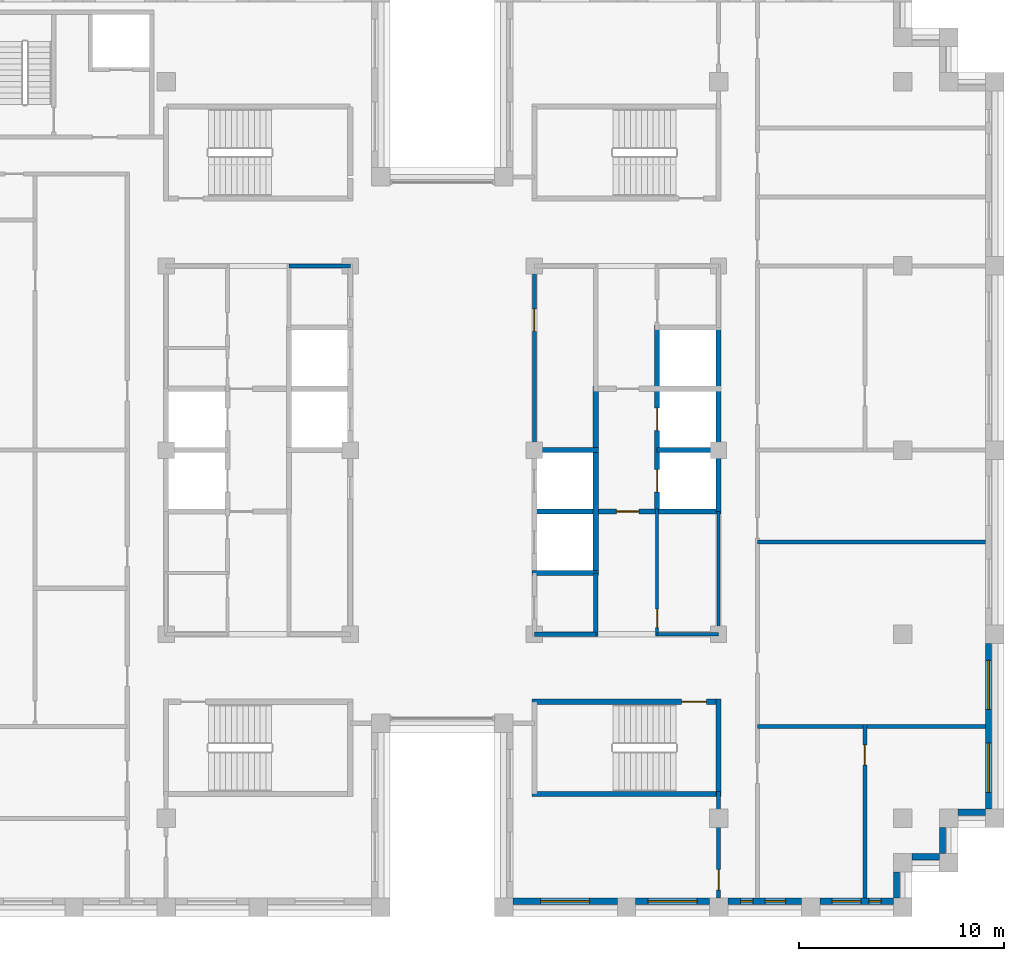
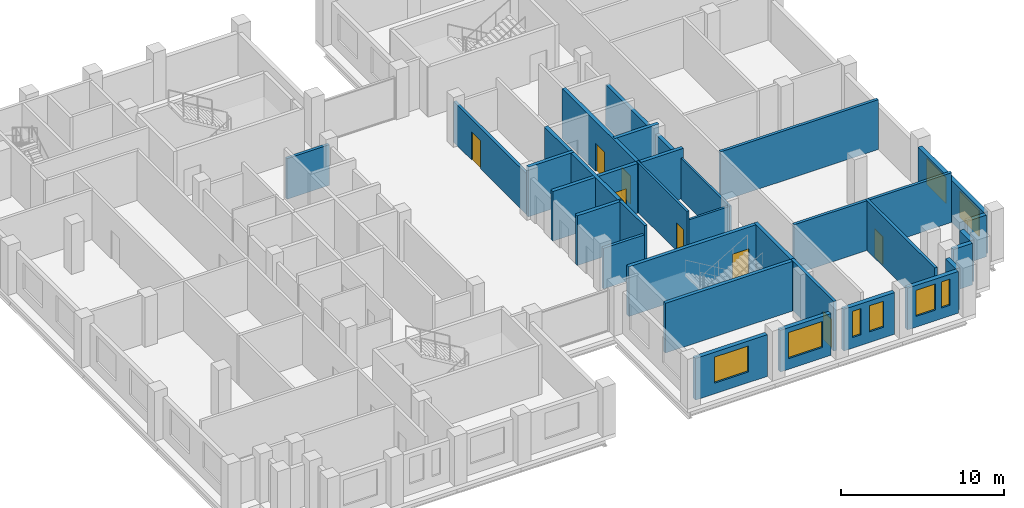
# One storey, part 8 of 13: 30 walls, 8 doors, 8 windows, 16 openings.
"""IFC4 building model written with IfcOpenShell, lengths in metres."""

from ifc_helpers import new_model, si_unit, direction, frame, frame_2d, origin, place, context, subcontext, project, spatial, rectangle, extrude, material, layer, layer_set, type_object, element, fill, save


model = new_model("IFC4")

# Units and contexts
model_context = context("Model", 3, precision=1e-05, world=origin(), true_north=direction((0.0, 1.0)))
body_context = subcontext(model_context, "Body", "Model", "MODEL_VIEW")
ifc_project = project(units=[si_unit("LENGTHUNIT", "METRE"), si_unit("AREAUNIT", "SQUARE_METRE"), si_unit("VOLUMEUNIT", "CUBIC_METRE"), si_unit("PLANEANGLEUNIT", "RADIAN"), si_unit("MASSUNIT", "GRAM", prefix="KILO")], contexts=[model_context])

# Site, building, storey
site_placement = place(None, origin())
site = spatial("IfcSite", under=ifc_project, at=site_placement, CompositionType="ELEMENT")
building_placement = place(site_placement, origin())
building = spatial("IfcBuilding", under=site, at=building_placement, Name="Corbelhall Arena Tower", CompositionType="ELEMENT")
storey_placement = place(building_placement, frame((0.0, 0.0, 262.0)))
storey = spatial("IfcBuildingStorey", under=building, at=storey_placement, Name="L56", CompositionType="ELEMENT", Elevation=262.0)

# Wall, opening, window
ifc_material_1 = material(Name="Precast concrete C40/50 with granite facing", Category="masonry")
ifc_layer_1 = layer(ifc_material_1, 0.300048828125)
ifc_layer_set_1 = layer_set([ifc_layer_1], Name="EV-IW1 Infill panel 300")
wall_type_1 = type_object("IfcWallType", Name="EV-IW1 Infill panel 300", PredefinedType="SOLIDWALL", material=ifc_layer_set_1)
wall_1_placement = place(storey_placement, frame((3.449951171875, -22.050048828125, 0.0), z_axis=(0.0, 0.0, 1.0), x_axis=(1.0, 0.0, 0.0)))
wall_1 = element("IfcWall", 1, at=wall_1_placement, inside=storey, type_object=wall_type_1, Name="Infill panel IW1", PredefinedType="SOLIDWALL", context=body_context, shape_type="SweptSolid", body=[
    extrude(rectangle(XDim=5.10009765625, YDim=0.300048828125, at=frame_2d((2.550048828125, 0.0))), origin(), (0.0, 0.0, 1.0), 3.1201171875),
])
opening_1_placement = place(wall_1_placement, frame((1.35009765625, 0.0, 0.800048828125)))
opening_1 = element("IfcOpeningElement", 2, at=opening_1_placement, cuts=wall_1, Name="Opening WN1", PredefinedType="OPENING", context=body_context, shape_type="SweptSolid", body=[
    extrude(rectangle(XDim=2.39990234375, YDim=1.949951171875, at=frame_2d((1.199951171875, 0.97509765625))), frame((0.0, 0.14990234375, 0.0), z_axis=(0.0, -1.0, 0.0), x_axis=(1.0, 0.0, 0.0)), (0.0, 0.0, 1.0), 0.300048828125),
])
ifc_material_2 = material(Name="Aluminium black anodised", Category="aluminium")
window_type_1 = type_object("IfcWindowType", Name="EV-WN1 Office window", PartitioningType="SINGLE_PANEL", PredefinedType="WINDOW", material=ifc_material_2)
window_1_placement = place(opening_1_placement, origin())
window_1 = element("IfcWindow", 3, at=window_1_placement, inside=storey, type_object=window_type_1, Name="Window WN1", OverallHeight=1.949951171875, OverallWidth=2.39990234375, PartitioningType="SINGLE_PANEL", PredefinedType="WINDOW", context=body_context, shape_type="SweptSolid", body=[
    extrude(rectangle(XDim=2.39990234375, YDim=1.949951171875, at=frame_2d((1.199951171875, 0.97509765625))), frame((0.0, 0.030029296875, 0.0), z_axis=(0.0, -1.0, 0.0), x_axis=(1.0, 0.0, 0.0)), (0.0, 0.0, 1.0), 0.06005859375),
])
fill(opening_1, window_1)

wall_2_placement = place(storey_placement, frame((9.449951171875, -22.050048828125, 0.0), z_axis=(0.0, 0.0, 1.0), x_axis=(1.0, 0.0, 0.0)))
wall_2 = element("IfcWall", 4, at=wall_2_placement, inside=storey, type_object=wall_type_1, Name="Infill panel IW1", PredefinedType="SOLIDWALL", context=body_context, shape_type="SweptSolid", body=[
    extrude(rectangle(XDim=3.60009765625, YDim=0.300048828125, at=frame_2d((1.800048828125, 0.0))), origin(), (0.0, 0.0, 1.0), 3.1201171875),
])
opening_2_placement = place(wall_2_placement, frame((0.60009765625, 0.0, 0.800048828125)))
opening_2 = element("IfcOpeningElement", 5, at=opening_2_placement, cuts=wall_2, Name="Opening WN1", PredefinedType="OPENING", context=body_context, shape_type="SweptSolid", body=[
    extrude(rectangle(XDim=2.39990234375, YDim=1.949951171875, at=frame_2d((1.199951171875, 0.97509765625))), frame((0.0, 0.14990234375, 0.0), z_axis=(0.0, -1.0, 0.0), x_axis=(1.0, 0.0, 0.0)), (0.0, 0.0, 1.0), 0.300048828125),
])
window_2_placement = place(opening_2_placement, origin())
window_2 = element("IfcWindow", 6, at=window_2_placement, inside=storey, type_object=window_type_1, Name="Window WN1", OverallHeight=1.949951171875, OverallWidth=2.39990234375, PartitioningType="SINGLE_PANEL", PredefinedType="WINDOW", context=body_context, shape_type="SweptSolid", body=[
    extrude(rectangle(XDim=2.39990234375, YDim=1.949951171875, at=frame_2d((1.199951171875, 0.97509765625))), frame((0.0, 0.030029296875, 0.0), z_axis=(0.0, -1.0, 0.0), x_axis=(1.0, 0.0, 0.0)), (0.0, 0.0, 1.0), 0.06005859375),
])
fill(opening_2, window_2)

# Wall, openings, windows
wall_3_placement = place(storey_placement, frame((13.949951171875, -22.050048828125, 0.0), z_axis=(0.0, 0.0, 1.0), x_axis=(1.0, 0.0, 0.0)))
wall_3 = element("IfcWall", 7, at=wall_3_placement, inside=storey, type_object=wall_type_1, Name="Infill panel IW1", PredefinedType="SOLIDWALL", context=body_context, shape_type="SweptSolid", body=[
    extrude(rectangle(XDim=3.60009765625, YDim=0.300048828125, at=frame_2d((1.800048828125, 0.0))), origin(), (0.0, 0.0, 1.0), 3.1201171875),
])
opening_3_placement = place(wall_3_placement, frame((0.625, 0.0, 0.800048828125)))
opening_3 = element("IfcOpeningElement", 8, at=opening_3_placement, cuts=wall_3, Name="Opening WN5", PredefinedType="OPENING", context=body_context, shape_type="SweptSolid", body=[
    extrude(rectangle(XDim=0.60009765625, YDim=1.949951171875, at=frame_2d((0.300048828125, 0.97509765625))), frame((0.0, 0.14990234375, 0.0), z_axis=(0.0, -1.0, 0.0), x_axis=(1.0, 0.0, 0.0)), (0.0, 0.0, 1.0), 0.300048828125),
])
opening_4_placement = place(wall_3_placement, frame((1.824951171875, 0.0, 0.800048828125)))
opening_4 = element("IfcOpeningElement", 9, at=opening_4_placement, cuts=wall_3, Name="Opening WN6", PredefinedType="OPENING", context=body_context, shape_type="SweptSolid", body=[
    extrude(rectangle(XDim=1.0, YDim=1.949951171875, at=frame_2d((0.5, 0.97509765625))), frame((0.0, 0.14990234375, 0.0), z_axis=(0.0, -1.0, 0.0), x_axis=(1.0, 0.0, 0.0)), (0.0, 0.0, 1.0), 0.300048828125),
])
window_type_2 = type_object("IfcWindowType", Name="EV-WN5 Office window 600", PartitioningType="SINGLE_PANEL", PredefinedType="WINDOW", material=ifc_material_2)
window_3_placement = place(opening_3_placement, origin())
window_3 = element("IfcWindow", 10, at=window_3_placement, inside=storey, type_object=window_type_2, Name="Window WN5", OverallHeight=1.949951171875, OverallWidth=0.60009765625, PartitioningType="SINGLE_PANEL", PredefinedType="WINDOW", context=body_context, shape_type="SweptSolid", body=[
    extrude(rectangle(XDim=0.60009765625, YDim=1.949951171875, at=frame_2d((0.300048828125, 0.97509765625))), frame((0.0, 0.030029296875, 0.0), z_axis=(0.0, -1.0, 0.0), x_axis=(1.0, 0.0, 0.0)), (0.0, 0.0, 1.0), 0.06005859375),
])
fill(opening_3, window_3)
window_type_3 = type_object("IfcWindowType", Name="EV-WN6 Office window 1000", PartitioningType="SINGLE_PANEL", PredefinedType="WINDOW", material=ifc_material_2)
window_4_placement = place(opening_4_placement, origin())
window_4 = element("IfcWindow", 11, at=window_4_placement, inside=storey, type_object=window_type_3, Name="Window WN6", OverallHeight=1.949951171875, OverallWidth=1.0, PartitioningType="SINGLE_PANEL", PredefinedType="WINDOW", context=body_context, shape_type="SweptSolid", body=[
    extrude(rectangle(XDim=1.0, YDim=1.949951171875, at=frame_2d((0.5, 0.97509765625))), frame((0.0, 0.030029296875, 0.0), z_axis=(0.0, -1.0, 0.0), x_axis=(1.0, 0.0, 0.0)), (0.0, 0.0, 1.0), 0.06005859375),
])
fill(opening_4, window_4)

wall_4_placement = place(storey_placement, frame((18.449951171875, -22.050048828125, 0.0), z_axis=(0.0, 0.0, 1.0), x_axis=(1.0, 0.0, 0.0)))
wall_4 = element("IfcWall", 12, at=wall_4_placement, inside=storey, type_object=wall_type_1, Name="Infill panel IW1", PredefinedType="SOLIDWALL", context=body_context, shape_type="SweptSolid", body=[
    extrude(rectangle(XDim=3.60009765625, YDim=0.300048828125, at=frame_2d((1.800048828125, 0.0))), origin(), (0.0, 0.0, 1.0), 3.1201171875),
])
opening_5_placement = place(wall_4_placement, frame((0.60009765625, 0.0, 0.800048828125)))
opening_5 = element("IfcOpeningElement", 13, at=opening_5_placement, cuts=wall_4, Name="Opening WN7", PredefinedType="OPENING", context=body_context, shape_type="SweptSolid", body=[
    extrude(rectangle(XDim=1.39990234375, YDim=1.949951171875, at=frame_2d((0.699951171875, 0.97509765625))), frame((0.0, 0.14990234375, 0.0), z_axis=(0.0, -1.0, 0.0), x_axis=(1.0, 0.0, 0.0)), (0.0, 0.0, 1.0), 0.300048828125),
])
opening_6_placement = place(wall_4_placement, frame((2.39990234375, 0.0, 0.800048828125)))
opening_6 = element("IfcOpeningElement", 14, at=opening_6_placement, cuts=wall_4, Name="Opening WN5", PredefinedType="OPENING", context=body_context, shape_type="SweptSolid", body=[
    extrude(rectangle(XDim=0.60009765625, YDim=1.949951171875, at=frame_2d((0.300048828125, 0.97509765625))), frame((0.0, 0.14990234375, 0.0), z_axis=(0.0, -1.0, 0.0), x_axis=(1.0, 0.0, 0.0)), (0.0, 0.0, 1.0), 0.300048828125),
])
window_5_placement = place(opening_6_placement, origin())
window_5 = element("IfcWindow", 15, at=window_5_placement, inside=storey, type_object=window_type_2, Name="Window WN5", OverallHeight=1.949951171875, OverallWidth=0.60009765625, PartitioningType="SINGLE_PANEL", PredefinedType="WINDOW", context=body_context, shape_type="SweptSolid", body=[
    extrude(rectangle(XDim=0.60009765625, YDim=1.949951171875, at=frame_2d((0.300048828125, 0.97509765625))), frame((0.0, 0.030029296875, 0.0), z_axis=(0.0, -1.0, 0.0), x_axis=(1.0, 0.0, 0.0)), (0.0, 0.0, 1.0), 0.06005859375),
])
fill(opening_6, window_5)
window_type_4 = type_object("IfcWindowType", Name="EV-WN7 Office window 1400", PartitioningType="SINGLE_PANEL", PredefinedType="WINDOW", material=ifc_material_2)
window_6_placement = place(opening_5_placement, origin())
window_6 = element("IfcWindow", 16, at=window_6_placement, inside=storey, type_object=window_type_4, Name="Window WN7", OverallHeight=1.949951171875, OverallWidth=1.39990234375, PartitioningType="SINGLE_PANEL", PredefinedType="WINDOW", context=body_context, shape_type="SweptSolid", body=[
    extrude(rectangle(XDim=1.39990234375, YDim=1.949951171875, at=frame_2d((0.699951171875, 0.97509765625))), frame((0.0, 0.030029296875, 0.0), z_axis=(0.0, -1.0, 0.0), x_axis=(1.0, 0.0, 0.0)), (0.0, 0.0, 1.0), 0.06005859375),
])
fill(opening_5, window_6)

# Walls
wall_5_placement = place(storey_placement, frame((22.199951171875, -21.89990234375, 0.0), z_axis=(0.0, 0.0, 1.0), x_axis=(0.0, 1.0, 0.0)))
element("IfcWall", 17, at=wall_5_placement, inside=storey, type_object=wall_type_1, Name="Infill panel IW1", PredefinedType="SOLIDWALL", context=body_context, shape_type="SweptSolid", body=[
    extrude(rectangle(XDim=1.27490234375, YDim=0.300048828125, at=frame_2d((0.637451171875, 0.0))), origin(), (0.0, 0.0, 1.0), 3.1201171875),
])
wall_6_placement = place(storey_placement, frame((22.949951171875, -19.875, 0.0), z_axis=(0.0, 0.0, 1.0), x_axis=(1.0, 0.0, 0.0)))
element("IfcWall", 18, at=wall_6_placement, inside=storey, type_object=wall_type_1, Name="Infill panel IW1", PredefinedType="SOLIDWALL", context=body_context, shape_type="SweptSolid", body=[
    extrude(rectangle(XDim=1.35009765625, YDim=0.300048828125, at=frame_2d((0.675048828125, 0.0))), origin(), (0.0, 0.0, 1.0), 3.1201171875),
])
wall_7_placement = place(storey_placement, frame((24.449951171875, -19.72509765625, 0.0), z_axis=(0.0, 0.0, 1.0), x_axis=(0.0, 1.0, 0.0)))
element("IfcWall", 19, at=wall_7_placement, inside=storey, type_object=wall_type_1, Name="Infill panel IW1", PredefinedType="SOLIDWALL", context=body_context, shape_type="SweptSolid", body=[
    extrude(rectangle(XDim=1.275146484375, YDim=0.300048828125, at=frame_2d((0.6376953125, 0.0))), origin(), (0.0, 0.0, 1.0), 3.1201171875),
])
wall_8_placement = place(storey_placement, frame((25.199951171875, -17.699951171875, 0.0), z_axis=(0.0, 0.0, 1.0), x_axis=(1.0, 0.0, 0.0)))
element("IfcWall", 20, at=wall_8_placement, inside=storey, type_object=wall_type_1, Name="Infill panel IW1", PredefinedType="SOLIDWALL", context=body_context, shape_type="SweptSolid", body=[
    extrude(rectangle(XDim=1.35009765625, YDim=0.300048828125, at=frame_2d((0.675048828125, 0.0))), origin(), (0.0, 0.0, 1.0), 3.1201171875),
])

# Wall, openings, windows
wall_9_placement = place(storey_placement, frame((26.699951171875, -17.550048828125, 0.0), z_axis=(0.0, 0.0, 1.0), x_axis=(0.0, 1.0, 0.0)))
wall_9 = element("IfcWall", 21, at=wall_9_placement, inside=storey, type_object=wall_type_1, Name="Infill panel IW1", PredefinedType="SOLIDWALL", context=body_context, shape_type="SweptSolid", body=[
    extrude(rectangle(XDim=8.10009765625, YDim=0.300048828125, at=frame_2d((4.050048828125, 0.0))), origin(), (0.0, 0.0, 1.0), 3.1201171875),
])
opening_7_placement = place(wall_9_placement, frame((0.824951171875, 0.0, 0.800048828125)))
opening_7 = element("IfcOpeningElement", 22, at=opening_7_placement, cuts=wall_9, Name="Opening WN1", PredefinedType="OPENING", context=body_context, shape_type="SweptSolid", body=[
    extrude(rectangle(XDim=2.39990234375, YDim=1.949951171875, at=frame_2d((1.199951171875, 0.97509765625))), frame((0.0, 0.14990234375, 0.0), z_axis=(0.0, -1.0, 0.0), x_axis=(1.0, 0.0, 0.0)), (0.0, 0.0, 1.0), 0.300048828125),
])
opening_8_placement = place(wall_9_placement, frame((4.875, 0.0, 0.800048828125)))
opening_8 = element("IfcOpeningElement", 23, at=opening_8_placement, cuts=wall_9, Name="Opening WN1", PredefinedType="OPENING", context=body_context, shape_type="SweptSolid", body=[
    extrude(rectangle(XDim=2.39990234375, YDim=1.949951171875, at=frame_2d((1.199951171875, 0.97509765625))), frame((0.0, 0.14990234375, 0.0), z_axis=(0.0, -1.0, 0.0), x_axis=(1.0, 0.0, 0.0)), (0.0, 0.0, 1.0), 0.300048828125),
])
window_7_placement = place(opening_7_placement, origin())
window_7 = element("IfcWindow", 24, at=window_7_placement, inside=storey, type_object=window_type_1, Name="Window WN1", OverallHeight=1.949951171875, OverallWidth=2.39990234375, PartitioningType="SINGLE_PANEL", PredefinedType="WINDOW", context=body_context, shape_type="SweptSolid", body=[
    extrude(rectangle(XDim=2.39990234375, YDim=1.949951171875, at=frame_2d((1.199951171875, 0.97509765625))), frame((0.0, 0.030029296875, 0.0), z_axis=(0.0, -1.0, 0.0), x_axis=(1.0, 0.0, 0.0)), (0.0, 0.0, 1.0), 0.06005859375),
])
fill(opening_7, window_7)
window_8_placement = place(opening_8_placement, origin())
window_8 = element("IfcWindow", 25, at=window_8_placement, inside=storey, type_object=window_type_1, Name="Window WN1", OverallHeight=1.949951171875, OverallWidth=2.39990234375, PartitioningType="SINGLE_PANEL", PredefinedType="WINDOW", context=body_context, shape_type="SweptSolid", body=[
    extrude(rectangle(XDim=2.39990234375, YDim=1.949951171875, at=frame_2d((1.199951171875, 0.97509765625))), frame((0.0, 0.030029296875, 0.0), z_axis=(0.0, -1.0, 0.0), x_axis=(1.0, 0.0, 0.0)), (0.0, 0.0, 1.0), 0.06005859375),
])
fill(opening_8, window_8)

# Wall, opening, door
ifc_material_3 = material(Name="Gypsum board on steel stud, acoustic", Category="steel")
ifc_layer_2 = layer(ifc_material_3, 0.199951171875)
ifc_layer_set_2 = layer_set([ifc_layer_2], Name="IN-W-DM200")
wall_type_2 = type_object("IfcWallType", Name="IN-W-DM200", PredefinedType="PARTITIONING", material=ifc_layer_set_2)
wall_10_placement = place(storey_placement, frame((13.5, -21.89990234375, 0.0), z_axis=(0.0, 0.0, 1.0), x_axis=(0.0, 1.0, 0.0)))
wall_10 = element("IfcWall", 26, at=wall_10_placement, inside=storey, type_object=wall_type_2, Name="Partition 014", PredefinedType="PARTITIONING", context=body_context, shape_type="SweptSolid", body=[
    extrude(rectangle(XDim=5.224853515625, YDim=0.199951171875, at=frame_2d((2.6123046875, 0.0))), origin(), (0.0, 0.0, 1.0), 3.719970703125),
])
opening_9_placement = place(wall_10_placement, frame((0.39990234375, 0.0, 0.0)))
opening_9 = element("IfcOpeningElement", 27, at=opening_9_placement, cuts=wall_10, Name="Opening 17021", PredefinedType="OPENING", context=body_context, shape_type="SweptSolid", body=[
    extrude(rectangle(XDim=1.0, YDim=2.10009765625, at=frame_2d((0.5, 1.050048828125))), frame((0.0, 0.10009765625, 0.0), z_axis=(0.0, -1.0, 0.0), x_axis=(1.0, 0.0, 0.0)), (0.0, 0.0, 1.0), 0.199951171875),
])
ifc_material_4 = material(Name="Steel door set", Category="steel")
door_type_1 = type_object("IfcDoorType", Name="IN-D-SW100", OperationType="NOTDEFINED", PredefinedType="DOOR", material=ifc_material_4)
door_1_placement = place(opening_9_placement, origin())
door_1 = element("IfcDoor", 28, at=door_1_placement, inside=storey, type_object=door_type_1, Name="Door 021", OperationType="SINGLE_SWING_RIGHT", OverallHeight=2.10009765625, OverallWidth=1.0, PredefinedType="DOOR", context=body_context, shape_type="SweptSolid", body=[
    extrude(rectangle(XDim=1.0, YDim=2.10009765625, at=frame_2d((0.5, 1.050048828125))), frame((0.0, 0.02490234375, 0.0), z_axis=(0.0, -1.0, 0.0), x_axis=(1.0, 0.0, 0.0)), (0.0, 0.0, 1.0), 0.050048828125),
])
fill(opening_9, door_1)

# Walls
for number, where, z_axis, x_axis, name in (
    (29, (15.39990234375, -13.5, 0.0), (0.0, 0.0, 1.0), (1.0, 0.0, 0.0), "Partition 016"),
    (30, (15.39990234375, -4.5, 0.0), (0.0, 0.0, 1.0), (1.0, 0.0, 0.0), "Partition 018"),
):
    element("IfcWall", number, at=place(storey_placement, frame(where, z_axis=z_axis, x_axis=x_axis)), inside=storey, type_object=wall_type_2, Name=name, PredefinedType="PARTITIONING", context=body_context, shape_type="SweptSolid", body=[
        extrude(rectangle(XDim=11.150146484375, YDim=0.199951171875, at=frame_2d((5.5751953125, 0.0))), origin(), (0.0, 0.0, 1.0), 3.719970703125),
    ])

# Wall, opening, door
wall_11_placement = place(storey_placement, frame((20.64990234375, -13.39990234375, 0.0), z_axis=(0.0, 0.0, 1.0), x_axis=(0.0, -1.0, 0.0)))
wall_11 = element("IfcWall", 31, at=wall_11_placement, inside=storey, type_object=wall_type_2, Name="Partition 022", PredefinedType="PARTITIONING", context=body_context, shape_type="SweptSolid", body=[
    extrude(rectangle(XDim=8.5, YDim=0.199951171875, at=frame_2d((4.25, 0.0))), origin(), (0.0, 0.0, 1.0), 3.719970703125),
])
opening_10_placement = place(wall_11_placement, frame((1.0, 0.0, 0.0)))
opening_10 = element("IfcOpeningElement", 32, at=opening_10_placement, cuts=wall_11, Name="Opening 17035", PredefinedType="OPENING", context=body_context, shape_type="SweptSolid", body=[
    extrude(rectangle(XDim=1.0, YDim=2.10009765625, at=frame_2d((0.5, 1.050048828125))), frame((0.0, 0.10009765625, 0.0), z_axis=(0.0, -1.0, 0.0), x_axis=(1.0, 0.0, 0.0)), (0.0, 0.0, 1.0), 0.199951171875),
])
door_2_placement = place(opening_10_placement, origin())
door_2 = element("IfcDoor", 33, at=door_2_placement, inside=storey, type_object=door_type_1, Name="Door 035", OperationType="SINGLE_SWING_RIGHT", OverallHeight=2.10009765625, OverallWidth=1.0, PredefinedType="DOOR", context=body_context, shape_type="SweptSolid", body=[
    extrude(rectangle(XDim=1.0, YDim=2.10009765625, at=frame_2d((0.5, 1.050048828125))), frame((0.0, 0.02490234375, 0.0), z_axis=(0.0, -1.0, 0.0), x_axis=(1.0, 0.0, 0.0)), (0.0, 0.0, 1.0), 0.050048828125),
])
fill(opening_10, door_2)

# Walls
ifc_material_5 = material(Name="Concrete block wall", Category="concrete")
ifc_layer_3 = layer(ifc_material_5, 0.199951171875)
ifc_layer_set_3 = layer_set([ifc_layer_3], Name="IN-W-RS200")
wall_type_3 = type_object("IfcWallType", Name="IN-W-RS200", PredefinedType="SOLIDWALL", material=ifc_layer_set_3)
wall_12_placement = place(storey_placement, frame((7.5, -6.0, 0.0), z_axis=(0.0, 0.0, 1.0), x_axis=(0.0, -1.0, 0.0)))
element("IfcWall", 34, at=wall_12_placement, inside=storey, type_object=wall_type_3, Name="Partition 040", PredefinedType="SOLIDWALL", context=body_context, shape_type="SweptSolid", body=[
    extrude(rectangle(XDim=3.10009765625, YDim=0.199951171875, at=frame_2d((1.550048828125, 0.0))), origin(), (0.0, 0.0, 1.0), 3.719970703125),
])
ifc_layer_4 = layer(ifc_material_5, 0.199951171875)
ifc_layer_set_4 = layer_set([ifc_layer_4], Name="IN-W-RS200 under beam 678 mm")
wall_type_4 = type_object("IfcWallType", Name="IN-W-RS200 under beam 678 mm", PredefinedType="SOLIDWALL", material=ifc_layer_set_4)
wall_13_placement = place(storey_placement, frame((-7.5, 9.0, 0.0), z_axis=(0.0, 0.0, 1.0), x_axis=(1.0, 0.0, 0.0)))
element("IfcWall", 35, at=wall_13_placement, inside=storey, type_object=wall_type_4, Name="Partition 032", PredefinedType="SOLIDWALL", context=body_context, shape_type="SweptSolid", body=[
    extrude(rectangle(XDim=3.0, YDim=0.199951171875, at=frame_2d((1.5, 0.0))), origin(), (0.0, 0.0, 1.0), 3.041748046875),
])

# Wall, opening, door
wall_14_placement = place(storey_placement, frame((4.5, 0.0, 0.0), z_axis=(0.0, 0.0, 1.0), x_axis=(0.0, 1.0, 0.0)))
wall_14 = element("IfcWall", 36, at=wall_14_placement, inside=storey, type_object=wall_type_4, Name="Partition 037", PredefinedType="SOLIDWALL", context=body_context, shape_type="SweptSolid", body=[
    extrude(rectangle(XDim=9.10009765625, YDim=0.199951171875, at=frame_2d((4.550048828125, 0.0))), origin(), (0.0, 0.0, 1.0), 3.041748046875),
])
opening_11_placement = place(wall_14_placement, frame((5.800048828125, 0.0, 0.0)))
opening_11 = element("IfcOpeningElement", 37, at=opening_11_placement, cuts=wall_14, Name="Opening 17010", PredefinedType="OPENING", context=body_context, shape_type="SweptSolid", body=[
    extrude(rectangle(XDim=1.10009765625, YDim=2.10009765625, at=frame_2d((0.550048828125, 1.050048828125))), frame((0.0, 0.10009765625, 0.0), z_axis=(0.0, -1.0, 0.0), x_axis=(1.0, 0.0, 0.0)), (0.0, 0.0, 1.0), 0.199951171875),
])
door_type_2 = type_object("IfcDoorType", Name="IN-D-FD110", OperationType="NOTDEFINED", PredefinedType="DOOR", material=ifc_material_4)
door_3_placement = place(opening_11_placement, origin())
door_3 = element("IfcDoor", 38, at=door_3_placement, inside=storey, type_object=door_type_2, Name="Door 010", OperationType="SINGLE_SWING_LEFT", OverallHeight=2.10009765625, OverallWidth=1.10009765625, PredefinedType="DOOR", context=body_context, shape_type="SweptSolid", body=[
    extrude(rectangle(XDim=1.10009765625, YDim=2.10009765625, at=frame_2d((0.550048828125, 1.050048828125))), frame((0.0, 0.02490234375, 0.0), z_axis=(0.0, -1.0, 0.0), x_axis=(1.0, 0.0, 0.0)), (0.0, 0.0, 1.0), 0.050048828125),
])
fill(opening_11, door_3)

# Walls
wall_15_placement = place(storey_placement, frame((7.5, -9.0, 0.0), z_axis=(0.0, 0.0, 1.0), x_axis=(-1.0, 0.0, 0.0)))
element("IfcWall", 39, at=wall_15_placement, inside=storey, type_object=wall_type_4, Name="Partition 039", PredefinedType="SOLIDWALL", context=body_context, shape_type="SweptSolid", body=[
    extrude(rectangle(XDim=3.0, YDim=0.199951171875, at=frame_2d((1.5, 0.0))), origin(), (0.0, 0.0, 1.0), 3.041748046875),
])
ifc_material_6 = material(Name="Concrete C40/50", Category="concrete")
ifc_layer_5 = layer(ifc_material_6, 0.25)
ifc_layer_set_5 = layer_set([ifc_layer_5], Name="IN-W-SH250")
wall_type_5 = type_object("IfcWallType", Name="IN-W-SH250", PredefinedType="SOLIDWALL", material=ifc_layer_set_5)
wall_16_placement = place(storey_placement, frame((4.375, -6.0, 0.0), z_axis=(0.0, 0.0, 1.0), x_axis=(1.0, 0.0, 0.0)))
element("IfcWall", 40, at=wall_16_placement, inside=storey, type_object=wall_type_5, Name="Shaft wall 054", PredefinedType="SOLIDWALL", context=body_context, shape_type="SweptSolid", body=[
    extrude(rectangle(XDim=3.25, YDim=0.25, at=frame_2d((1.625, 0.0))), origin(), (0.0, 0.0, 1.0), 3.719970703125),
])

# Wall, opening, door
wall_17_placement = place(storey_placement, frame((4.375, -3.0, 0.0), z_axis=(0.0, 0.0, 1.0), x_axis=(1.0, 0.0, 0.0)))
wall_17 = element("IfcWall", 41, at=wall_17_placement, inside=storey, type_object=wall_type_5, Name="Shaft wall 055", PredefinedType="SOLIDWALL", context=body_context, shape_type="SweptSolid", body=[
    extrude(rectangle(XDim=9.25, YDim=0.25, at=frame_2d((4.625, 0.0))), origin(), (0.0, 0.0, 1.0), 3.719970703125),
])
opening_12_placement = place(wall_17_placement, frame((4.125, 0.0, 0.0)))
opening_12 = element("IfcOpeningElement", 42, at=opening_12_placement, cuts=wall_17, Name="Opening 17011", PredefinedType="OPENING", context=body_context, shape_type="SweptSolid", body=[
    extrude(rectangle(XDim=1.10009765625, YDim=2.10009765625, at=frame_2d((0.550048828125, 1.050048828125))), frame((0.0, 0.125, 0.0), z_axis=(0.0, -1.0, 0.0), x_axis=(1.0, 0.0, 0.0)), (0.0, 0.0, 1.0), 0.25),
])
door_4_placement = place(opening_12_placement, origin())
door_4 = element("IfcDoor", 43, at=door_4_placement, inside=storey, type_object=door_type_2, Name="Door 011", OperationType="SINGLE_SWING_RIGHT", OverallHeight=2.10009765625, OverallWidth=1.10009765625, PredefinedType="DOOR", context=body_context, shape_type="SweptSolid", body=[
    extrude(rectangle(XDim=1.10009765625, YDim=2.10009765625, at=frame_2d((0.550048828125, 1.050048828125))), frame((0.0, 0.02490234375, 0.0), z_axis=(0.0, -1.0, 0.0), x_axis=(1.0, 0.0, 0.0)), (0.0, 0.0, 1.0), 0.050048828125),
])
fill(opening_12, door_4)

# Walls
wall_18_placement = place(storey_placement, frame((4.375, 0.0, 0.0), z_axis=(0.0, 0.0, 1.0), x_axis=(1.0, 0.0, 0.0)))
element("IfcWall", 44, at=wall_18_placement, inside=storey, type_object=wall_type_5, Name="Shaft wall 056", PredefinedType="SOLIDWALL", context=body_context, shape_type="SweptSolid", body=[
    extrude(rectangle(XDim=3.25, YDim=0.25, at=frame_2d((1.625, 0.0))), origin(), (0.0, 0.0, 1.0), 3.719970703125),
])
wall_19_placement = place(storey_placement, frame((7.5, 3.125, 0.0), z_axis=(0.0, 0.0, 1.0), x_axis=(0.0, -1.0, 0.0)))
element("IfcWall", 45, at=wall_19_placement, inside=storey, type_object=wall_type_5, Name="Shaft wall 058", PredefinedType="SOLIDWALL", context=body_context, shape_type="SweptSolid", body=[
    extrude(rectangle(XDim=9.125, YDim=0.25, at=frame_2d((4.5625, 0.0))), origin(), (0.0, 0.0, 1.0), 3.719970703125),
])
wall_20_placement = place(storey_placement, frame((10.5, 0.0, 0.0), z_axis=(0.0, 0.0, 1.0), x_axis=(1.0, 0.0, 0.0)))
element("IfcWall", 46, at=wall_20_placement, inside=storey, type_object=wall_type_5, Name="Shaft wall 060", PredefinedType="SOLIDWALL", context=body_context, shape_type="SweptSolid", body=[
    extrude(rectangle(XDim=3.125, YDim=0.25, at=frame_2d((1.5625, 0.0))), origin(), (0.0, 0.0, 1.0), 3.719970703125),
])

# Wall, openings, doors
wall_21_placement = place(storey_placement, frame((10.5, 6.125, 0.0), z_axis=(0.0, 0.0, 1.0), x_axis=(0.0, -1.0, 0.0)))
wall_21 = element("IfcWall", 47, at=wall_21_placement, inside=storey, type_object=wall_type_5, Name="Shaft wall 061", PredefinedType="SOLIDWALL", context=body_context, shape_type="SweptSolid", body=[
    extrude(rectangle(XDim=9.25, YDim=0.25, at=frame_2d((4.625, 0.0))), origin(), (0.0, 0.0, 1.0), 3.719970703125),
])
opening_13_placement = place(wall_21_placement, frame((7.074951171875, 0.0, 0.0)))
opening_13 = element("IfcOpeningElement", 48, at=opening_13_placement, cuts=wall_21, Name="Opening LD", PredefinedType="OPENING", context=body_context, shape_type="SweptSolid", body=[
    extrude(rectangle(XDim=1.10009765625, YDim=2.10009765625, at=frame_2d((0.550048828125, 1.050048828125))), frame((0.0, 0.125, 0.0), z_axis=(0.0, -1.0, 0.0), x_axis=(1.0, 0.0, 0.0)), (0.0, 0.0, 1.0), 0.25),
])
opening_14_placement = place(wall_21_placement, frame((4.074951171875, 0.0, 0.0)))
opening_14 = element("IfcOpeningElement", 49, at=opening_14_placement, cuts=wall_21, Name="Opening LD", PredefinedType="OPENING", context=body_context, shape_type="SweptSolid", body=[
    extrude(rectangle(XDim=1.10009765625, YDim=2.10009765625, at=frame_2d((0.550048828125, 1.050048828125))), frame((0.0, 0.125, 0.0), z_axis=(0.0, -1.0, 0.0), x_axis=(1.0, 0.0, 0.0)), (0.0, 0.0, 1.0), 0.25),
])
door_type_3 = type_object("IfcDoorType", Name="IN-D-LD110", OperationType="NOTDEFINED", PredefinedType="DOOR", material=ifc_material_4)
door_5_placement = place(opening_13_placement, origin())
door_5 = element("IfcDoor", 50, at=door_5_placement, inside=storey, type_object=door_type_3, Name="Landing door E3", OperationType="SLIDING_TO_LEFT", OverallHeight=2.10009765625, OverallWidth=1.10009765625, PredefinedType="DOOR", context=body_context, shape_type="SweptSolid", body=[
    extrude(rectangle(XDim=1.10009765625, YDim=2.10009765625, at=frame_2d((0.550048828125, 1.050048828125))), frame((0.0, 0.02490234375, 0.0), z_axis=(0.0, -1.0, 0.0), x_axis=(1.0, 0.0, 0.0)), (0.0, 0.0, 1.0), 0.050048828125),
])
fill(opening_13, door_5)
door_6_placement = place(opening_14_placement, origin())
door_6 = element("IfcDoor", 51, at=door_6_placement, inside=storey, type_object=door_type_3, Name="Landing door E4", OperationType="SLIDING_TO_LEFT", OverallHeight=2.10009765625, OverallWidth=1.10009765625, PredefinedType="DOOR", context=body_context, shape_type="SweptSolid", body=[
    extrude(rectangle(XDim=1.10009765625, YDim=2.10009765625, at=frame_2d((0.550048828125, 1.050048828125))), frame((0.0, 0.02490234375, 0.0), z_axis=(0.0, -1.0, 0.0), x_axis=(1.0, 0.0, 0.0)), (0.0, 0.0, 1.0), 0.050048828125),
])
fill(opening_14, door_6)

# Walls
ifc_layer_6 = layer(ifc_material_6, 0.25)
ifc_layer_set_6 = layer_set([ifc_layer_6], Name="IN-W-SH250 under beam 678 mm")
wall_type_6 = type_object("IfcWallType", Name="IN-W-SH250 under beam 678 mm", PredefinedType="SOLIDWALL", material=ifc_layer_set_6)
wall_22_placement = place(storey_placement, frame((13.5, 6.0, 0.0), z_axis=(0.0, 0.0, 1.0), x_axis=(0.0, -1.0, 0.0)))
element("IfcWall", 52, at=wall_22_placement, inside=storey, type_object=wall_type_6, Name="Shaft wall 063", PredefinedType="SOLIDWALL", context=body_context, shape_type="SweptSolid", body=[
    extrude(rectangle(XDim=9.0, YDim=0.25, at=frame_2d((4.5, 0.0))), origin(), (0.0, 0.0, 1.0), 3.041748046875),
])
ifc_layer_7 = layer(ifc_material_6, 0.25)
ifc_layer_set_7 = layer_set([ifc_layer_7], Name="IN-W-ST250")
wall_type_7 = type_object("IfcWallType", Name="IN-W-ST250", PredefinedType="SOLIDWALL", material=ifc_layer_set_7)
wall_23_placement = place(storey_placement, frame((13.5, -16.925048828125, 0.0), z_axis=(0.0, 0.0, 1.0), x_axis=(0.0, 1.0, 0.0)))
element("IfcWall", 53, at=wall_23_placement, inside=storey, type_object=wall_type_7, Name="Shaft wall 077", PredefinedType="SOLIDWALL", context=body_context, shape_type="SweptSolid", body=[
    extrude(rectangle(XDim=4.75, YDim=0.25, at=frame_2d((2.375, 0.0))), origin(), (0.0, 0.0, 1.0), 3.719970703125),
])
wall_24_placement = place(storey_placement, frame((13.5, -16.800048828125, 0.0), z_axis=(0.0, 0.0, 1.0), x_axis=(-1.0, 0.0, 0.0)))
element("IfcWall", 54, at=wall_24_placement, inside=storey, type_object=wall_type_7, Name="Shaft wall 078", PredefinedType="SOLIDWALL", context=body_context, shape_type="SweptSolid", body=[
    extrude(rectangle(XDim=9.125, YDim=0.25, at=frame_2d((4.5625, 0.0))), origin(), (0.0, 0.0, 1.0), 3.719970703125),
])

# Wall, opening, door
wall_25_placement = place(storey_placement, frame((13.5, -12.300048828125, 0.0), z_axis=(0.0, 0.0, 1.0), x_axis=(-1.0, 0.0, 0.0)))
wall_25 = element("IfcWall", 55, at=wall_25_placement, inside=storey, type_object=wall_type_7, Name="Shaft wall 079", PredefinedType="SOLIDWALL", context=body_context, shape_type="SweptSolid", body=[
    extrude(rectangle(XDim=9.125, YDim=0.25, at=frame_2d((4.5625, 0.0))), origin(), (0.0, 0.0, 1.0), 3.719970703125),
])
opening_15_placement = place(wall_25_placement, frame((0.60009765625, 0.0, 0.0)))
opening_15 = element("IfcOpeningElement", 56, at=opening_15_placement, cuts=wall_25, Name="Opening 17018", PredefinedType="OPENING", context=body_context, shape_type="SweptSolid", body=[
    extrude(rectangle(XDim=1.199951171875, YDim=2.10009765625, at=frame_2d((0.60009765625, 1.050048828125))), frame((0.0, 0.125, 0.0), z_axis=(0.0, -1.0, 0.0), x_axis=(1.0, 0.0, 0.0)), (0.0, 0.0, 1.0), 0.25),
])
door_type_4 = type_object("IfcDoorType", Name="IN-D-ST120", OperationType="NOTDEFINED", PredefinedType="DOOR", material=ifc_material_4)
door_7_placement = place(opening_15_placement, origin())
door_7 = element("IfcDoor", 57, at=door_7_placement, inside=storey, type_object=door_type_4, Name="Door 018", OperationType="SINGLE_SWING_LEFT", OverallHeight=2.10009765625, OverallWidth=1.199951171875, PredefinedType="DOOR", context=body_context, shape_type="SweptSolid", body=[
    extrude(rectangle(XDim=1.199951171875, YDim=2.10009765625, at=frame_2d((0.60009765625, 1.050048828125))), frame((0.0, 0.02490234375, 0.0), z_axis=(0.0, -1.0, 0.0), x_axis=(1.0, 0.0, 0.0)), (0.0, 0.0, 1.0), 0.050048828125),
])
fill(opening_15, door_7)

ifc_material_7 = material(Name="Gypsum board on steel stud, moisture resistant", Category="steel")
ifc_layer_8 = layer(ifc_material_7, 0.14990234375)
ifc_layer_set_8 = layer_set([ifc_layer_8], Name="IN-W-WC150")
wall_type_8 = type_object("IfcWallType", Name="IN-W-WC150", PredefinedType="PARTITIONING", material=ifc_layer_set_8)
wall_26_placement = place(storey_placement, frame((10.5, -2.875, 0.0), z_axis=(0.0, 0.0, 1.0), x_axis=(0.0, -1.0, 0.0)))
wall_26 = element("IfcWall", 58, at=wall_26_placement, inside=storey, type_object=wall_type_8, Name="Partition 088", PredefinedType="PARTITIONING", context=body_context, shape_type="SweptSolid", body=[
    extrude(rectangle(XDim=6.199951171875, YDim=0.14990234375, at=frame_2d((3.10009765625, 0.0))), origin(), (0.0, 0.0, 1.0), 3.719970703125),
])
opening_16_placement = place(wall_26_placement, frame((4.89990234375, 0.0, 0.0)))
opening_16 = element("IfcOpeningElement", 59, at=opening_16_placement, cuts=wall_26, Name="Opening 17013", PredefinedType="OPENING", context=body_context, shape_type="SweptSolid", body=[
    extrude(rectangle(XDim=0.89990234375, YDim=2.10009765625, at=frame_2d((0.449951171875, 1.050048828125))), frame((0.0, 0.074951171875, 0.0), z_axis=(0.0, -1.0, 0.0), x_axis=(1.0, 0.0, 0.0)), (0.0, 0.0, 1.0), 0.14990234375),
])
ifc_material_8 = material(Name="Timber door set", Category="wood")
door_type_5 = type_object("IfcDoorType", Name="IN-D-SW90", OperationType="NOTDEFINED", PredefinedType="DOOR", material=ifc_material_8)
door_8_placement = place(opening_16_placement, origin())
door_8 = element("IfcDoor", 60, at=door_8_placement, inside=storey, type_object=door_type_5, Name="Door 013", OperationType="SINGLE_SWING_RIGHT", OverallHeight=2.10009765625, OverallWidth=0.89990234375, PredefinedType="DOOR", context=body_context, shape_type="SweptSolid", body=[
    extrude(rectangle(XDim=0.89990234375, YDim=2.10009765625, at=frame_2d((0.449951171875, 1.050048828125))), frame((0.0, 0.02490234375, 0.0), z_axis=(0.0, -1.0, 0.0), x_axis=(1.0, 0.0, 0.0)), (0.0, 0.0, 1.0), 0.050048828125),
])
fill(opening_16, door_8)

# Walls
ifc_layer_9 = layer(ifc_material_7, 0.14990234375)
ifc_layer_set_9 = layer_set([ifc_layer_9], Name="IN-W-WC150 under beam 678 mm")
wall_type_9 = type_object("IfcWallType", Name="IN-W-WC150 under beam 678 mm", PredefinedType="PARTITIONING", material=ifc_layer_set_9)
wall_27_placement = place(storey_placement, frame((13.5, -9.0, 0.0), z_axis=(0.0, 0.0, 1.0), x_axis=(-1.0, 0.0, 0.0)))
element("IfcWall", 61, at=wall_27_placement, inside=storey, type_object=wall_type_9, Name="Partition 089", PredefinedType="PARTITIONING", context=body_context, shape_type="SweptSolid", body=[
    extrude(rectangle(XDim=3.0, YDim=0.14990234375, at=frame_2d((1.5, 0.0))), origin(), (0.0, 0.0, 1.0), 3.041748046875),
])
wall_28_placement = place(storey_placement, frame((13.5, -3.0, 0.0), z_axis=(0.0, 0.0, 1.0), x_axis=(0.0, -1.0, 0.0)))
element("IfcWall", 62, at=wall_28_placement, inside=storey, type_object=wall_type_9, Name="Partition 090", PredefinedType="PARTITIONING", context=body_context, shape_type="SweptSolid", body=[
    extrude(rectangle(XDim=6.074951171875, YDim=0.14990234375, at=frame_2d((3.03759765625, 0.0))), origin(), (0.0, 0.0, 1.0), 3.041748046875),
])

save(model, "model.ifc")
